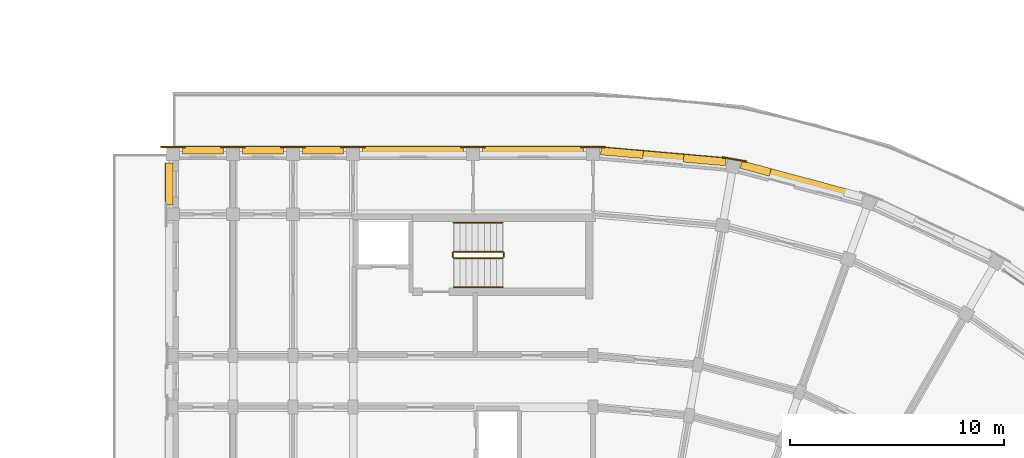
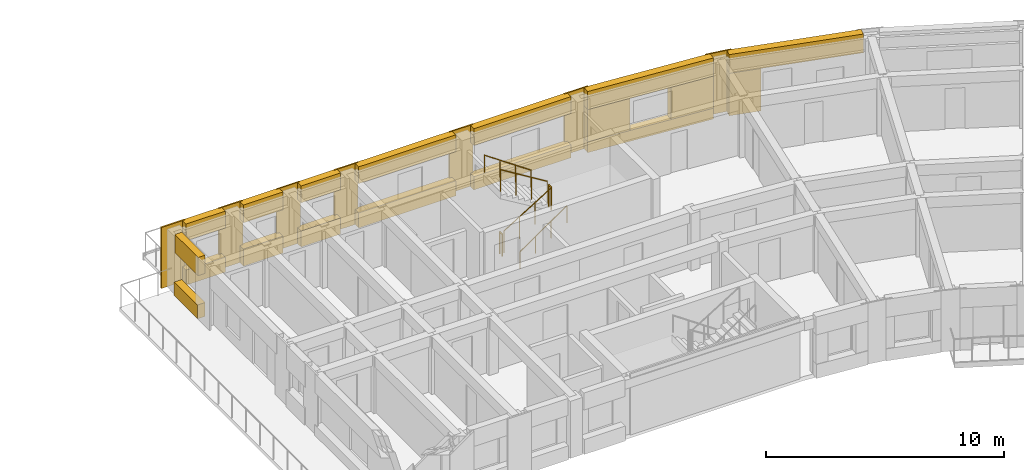
# One storey, part 33 of 36: 25 coverings, 6 railings.
"""IFC4 building model written with IfcOpenShell, lengths in metres."""

import ifcopenshell
import ifcopenshell.guid

model = None  # the IFC model being written
_history = None  # IfcOwnerHistory: only IFC2X3 demands one
_inside = {}  # id of a spatial element -> (the spatial element, [elements in it])
_under = {}  # id of a project, library or spatial element -> (it, [spatial elements below it])
_declared = {}  # id of a project -> (the project, [libraries it declares])
_typed = {}  # id of a type object -> (the type object, [elements of that type])
_made_of = {}  # id of a material, layer set ... -> (it, [elements and type objects made of it])


def new_model(schema):
    """Start an empty IFC model of exactly this schema.

    Asked for "IFC4X3", IfcOpenShell would pick the latest addendum, in which some entities
    have other attributes; the version numbers below select the first issue.
    IFC2X3 requires an IfcOwnerHistory on every rooted entity: one is made here for all.
    """
    global model, _history
    if schema == "IFC4X3":
        model = ifcopenshell.file(schema_version=(4, 3, 0, 0))
    else:
        model = ifcopenshell.file(schema=schema)
    _inside.clear()
    _under.clear()
    _declared.clear()
    _typed.clear()
    _made_of.clear()
    _history = None
    if model.schema == "IFC2X3":
        org = make("IfcOrganization", Name="unknown")
        user = make(
            "IfcPersonAndOrganization",
            ThePerson=make("IfcPerson", FamilyName="unknown"),
            TheOrganization=org,
        )
        app = make(
            "IfcApplication",
            ApplicationDeveloper=org,
            Version="unknown",
            ApplicationFullName="unknown",
            ApplicationIdentifier="unknown",
        )
        _history = make(
            "IfcOwnerHistory",
            OwningUser=user,
            OwningApplication=app,
            ChangeAction="ADDED",
            CreationDate=0,
        )
    return model


def make(cls, **values):
    """One entity of the class cls with the attributes given. An attribute that is None is left unset."""
    return model.create_entity(
        cls, **{name: value for name, value in values.items() if value is not None}
    )


def rooted(cls, **values):
    """An entity with a GlobalId (a new one), such as an element, a storey or a relation."""
    return make(cls, GlobalId=ifcopenshell.guid.new(), OwnerHistory=_history, **values)


def si_unit(unit_type, name, prefix=None):
    """IfcSIUnit, for example si_unit("LENGTHUNIT", "METRE", prefix="MILLI")."""
    return make("IfcSIUnit", UnitType=unit_type, Prefix=prefix, Name=name)


def assignment(units):
    """IfcUnitAssignment: the units of a project."""
    return None if units is None else make("IfcUnitAssignment", Units=units)


def point(xyz):
    """IfcCartesianPoint."""
    return None if xyz is None else make("IfcCartesianPoint", Coordinates=xyz)


def direction(xyz):
    """IfcDirection."""
    return None if xyz is None else make("IfcDirection", DirectionRatios=xyz)


def frame(location, z_axis=None, x_axis=None):
    """IfcAxis2Placement3D, a coordinate frame: its origin and axes. An axis left out is left unset."""
    return make(
        "IfcAxis2Placement3D",
        Location=point(location),
        Axis=direction(z_axis),
        RefDirection=direction(x_axis),
    )


def frame_2d(location, x_axis=None):
    """IfcAxis2Placement2D, a coordinate frame in the plane: its origin and x axis."""
    return make(
        "IfcAxis2Placement2D", Location=point(location), RefDirection=direction(x_axis)
    )


def origin():
    """The frame at (0, 0, 0) with its axes left unset."""
    return frame((0.0, 0.0, 0.0))


def origin_2d():
    """The frame at (0, 0) in the plane with its x axis left unset."""
    return frame_2d((0.0, 0.0))


def place(relative_to, where):
    """IfcLocalPlacement: puts the frame where relative to a parent placement (None: the world)."""
    return make(
        "IfcLocalPlacement", PlacementRelTo=relative_to, RelativePlacement=where
    )


def context(
    kind, dimensions, precision=None, world=None, true_north=None, identifier=None
):
    """IfcGeometricRepresentationContext, for example the 3D "Model" context."""
    return make(
        "IfcGeometricRepresentationContext",
        ContextIdentifier=identifier,
        ContextType=kind,
        CoordinateSpaceDimension=dimensions,
        Precision=precision,
        WorldCoordinateSystem=world,
        TrueNorth=true_north,
    )


def subcontext(parent, identifier, kind, view, scale=None):
    """IfcGeometricRepresentationSubContext, for example "Body" below "Model"."""
    return make(
        "IfcGeometricRepresentationSubContext",
        ContextIdentifier=identifier,
        ContextType=kind,
        ParentContext=parent,
        TargetScale=scale,
        TargetView=view,
    )


def project(units=None, contexts=None):
    """IfcProject with its units and contexts."""
    return rooted(
        "IfcProject",
        Name="project",
        RepresentationContexts=contexts,
        UnitsInContext=assignment(units),
    )


def spatial(cls, under=None, at=None, **own):
    """A site, building, storey or space (cls), placed at a placement, below another one or the project."""
    s = rooted(cls, ObjectPlacement=at, **own)
    if under is not None:
        _under.setdefault(under.id(), (under, []))[1].append(s)
    return s


def polyline(points):
    """IfcPolyline through the points."""
    return make("IfcPolyline", Points=[point(p) for p in points])


def profile(cls, at=None, kind="AREA", **sizes):
    """A parametric profile (cls). Its sizes go by their IFC names, for example OverallWidth=200.0."""
    return make(cls, ProfileType=kind, Position=at, **sizes)


def circle(**sizes):
    """IfcCircleProfileDef."""
    return profile("IfcCircleProfileDef", **sizes)


def outline(outer, holes=None, kind="AREA"):
    """IfcArbitraryClosedProfileDef: a profile drawn as a closed curve; with holes, ...WithVoids."""
    if holes is None:
        return make("IfcArbitraryClosedProfileDef", ProfileType=kind, OuterCurve=outer)
    return make(
        "IfcArbitraryProfileDefWithVoids",
        ProfileType=kind,
        OuterCurve=outer,
        InnerCurves=holes,
    )


def extrude(swept, where, along, depth):
    """IfcExtrudedAreaSolid: the profile swept, set in the frame where, extruded along a direction by depth."""
    return make(
        "IfcExtrudedAreaSolid",
        SweptArea=swept,
        Position=where,
        ExtrudedDirection=direction(along),
        Depth=depth,
    )


def shape(context_of_items, identifier, shape_type, items):
    """IfcShapeRepresentation: the items that make up one representation, for example the "Body"."""
    return make(
        "IfcShapeRepresentation",
        ContextOfItems=context_of_items,
        RepresentationIdentifier=identifier,
        RepresentationType=shape_type,
        Items=items,
    )


def material(Name=None, Category=None):
    """IfcMaterial."""
    return make("IfcMaterial", Name=Name, Category=Category)


def layer(
    of_material, thickness, ventilated=None, Name=None, Category=None, Priority=None
):
    """IfcMaterialLayer: one layer of a wall or slab, of a material (None: an air gap)."""
    return make(
        "IfcMaterialLayer",
        Material=of_material,
        LayerThickness=thickness,
        IsVentilated=ventilated,
        Name=Name,
        Category=Category,
        Priority=Priority,
    )


def layer_set(layers, Name=None):
    """IfcMaterialLayerSet."""
    return make("IfcMaterialLayerSet", MaterialLayers=layers, LayerSetName=Name)


def made_of(thing, what):
    """Note that an element or type object is made of a material, layer set ...; save() writes the relation."""
    if what is not None:
        _made_of.setdefault(what.id(), (what, []))[1].append(thing)
    return thing


def type_object(cls, material=None, **own):
    """A type object (cls), such as IfcWallType, which elements share."""
    return made_of(rooted(cls, **own), material)


def element(
    cls,
    number,
    at=None,
    inside=None,
    cuts=None,
    type_object=None,
    material=None,
    context=None,
    identifier="Body",
    shape_type=None,
    held_by="IfcProductDefinitionShape",
    body=None,
    shapes=None,
    **own,
):
    """One element of the class cls, such as IfcWall. Its Tag is "e" and its number.

    at: its placement. inside: the storey or other place that contains it. cuts: it is an
    opening in that element (IfcRelVoidsElement). A single representation is given by context,
    identifier, shape_type and body (its items); several are given by shapes. held_by: the class
    of the entity that holds the representations. save() writes the other relations.
    """
    e = rooted(cls, Tag="e%d" % number, ObjectPlacement=at, **own)
    if body is not None:
        shapes = [shape(context, identifier, shape_type, body)]
    if shapes is not None:
        e.Representation = make(held_by, Representations=shapes)
    if inside is not None:
        _inside.setdefault(inside.id(), (inside, []))[1].append(e)
    if cuts is not None:
        rooted(
            "IfcRelVoidsElement", RelatingBuildingElement=cuts, RelatedOpeningElement=e
        )
    if type_object is not None:
        _typed.setdefault(type_object.id(), (type_object, []))[1].append(e)
    return made_of(e, material)


def aggregate(whole, parts):
    """IfcRelAggregates: a whole, such as a stair, and the parts it consists of."""
    return rooted("IfcRelAggregates", RelatingObject=whole, RelatedObjects=parts)


def save(model, path):
    """Write the relations noted so far, then the file.

    IfcRelAggregates (storeys below a building ...), IfcRelContainedInSpatialStructure (elements
    in a storey), IfcRelDefinesByType, IfcRelAssociatesMaterial and IfcRelDeclares: one each for
    every whole, place, type object, material and project.
    """
    for whole, parts in _under.values():
        aggregate(whole, parts)
    for where, things in _inside.values():
        rooted(
            "IfcRelContainedInSpatialStructure",
            RelatedElements=things,
            RelatingStructure=where,
        )
    for kind, things in _typed.values():
        rooted("IfcRelDefinesByType", RelatedObjects=things, RelatingType=kind)
    for what, things in _made_of.values():
        rooted("IfcRelAssociatesMaterial", RelatedObjects=things, RelatingMaterial=what)
    for by, libraries in _declared.values():
        rooted("IfcRelDeclares", RelatingContext=by, RelatedDefinitions=libraries)
    model.write(path)


model = new_model("IFC4")

# Units and contexts
model_context = context("Model", 3, precision=1e-05, world=origin(), true_north=direction((0.0, 1.0)))
body_context = subcontext(model_context, "Body", "Model", "MODEL_VIEW")
ifc_project = project(units=[si_unit("LENGTHUNIT", "METRE"), si_unit("AREAUNIT", "SQUARE_METRE"), si_unit("VOLUMEUNIT", "CUBIC_METRE"), si_unit("PLANEANGLEUNIT", "RADIAN"), si_unit("MASSUNIT", "GRAM", prefix="KILO")], contexts=[model_context])

# Site, building, storey
site_placement = place(None, origin())
site = spatial("IfcSite", under=ifc_project, at=site_placement, CompositionType="ELEMENT")
building_placement = place(site_placement, origin())
building = spatial("IfcBuilding", under=site, at=building_placement, Name="Kiranvali Square Residences", CompositionType="ELEMENT")
storey_placement = place(building_placement, frame((0.0, 0.0, 37.050048828125)))
storey = spatial("IfcBuildingStorey", under=building, at=storey_placement, Name="L11", CompositionType="ELEMENT", Elevation=37.050048828125)

# Coverings
ifc_material_1 = material(Name="Honed Porbandar limestone ashlar facade cladding", Category="masonry")
ifc_layer_1 = layer(ifc_material_1, 0.3798828125)
ifc_layer_set_1 = layer_set([ifc_layer_1], Name="Honed Porbandar limestone ashlar facade cladding")
covering_type_1 = type_object("IfcCoveringType", Name="COV-CLAD-JAMB", PredefinedType="CLADDING", material=ifc_layer_set_1)
covering_1_placement = place(storey_placement, frame((0.0, 0.0, 0.56201171875)))
element("IfcCovering", 1, at=covering_1_placement, inside=storey, type_object=covering_type_1, Name="L11 deep limestone window jamb reveal B-L11-CRV-00.L", PredefinedType="CLADDING", context=body_context, shape_type="SweptSolid", body=[
    extrude(outline(polyline([(120.148681640625, 125.369873046875), (122.1181640625, 125.19775390625), (122.149658203125, 125.555908203125), (120.179931640625, 125.72802734375), (120.148681640625, 125.369873046875)])), origin(), (0.0, 0.0, 1.0), 1.64990234375),
])
covering_2_placement = place(storey_placement, frame((0.0, 0.0, 0.56201171875)))
element("IfcCovering", 2, at=covering_2_placement, inside=storey, type_object=covering_type_1, Name="L11 deep limestone window jamb reveal B-L11-CRV-00.R", PredefinedType="CLADDING", context=body_context, shape_type="SweptSolid", body=[
    extrude(outline(polyline([(124.010986328125, 125.031982421875), (125.98046875, 124.85986328125), (126.011962890625, 125.218017578125), (124.042236328125, 125.39013671875), (124.010986328125, 125.031982421875)])), origin(), (0.0, 0.0, 1.0), 1.64990234375),
])
covering_3_placement = place(storey_placement, origin())
element("IfcCovering", 3, at=covering_3_placement, inside=storey, type_object=covering_type_1, Name="L11 deep limestone window jamb reveal B-L11-CRV-01.L", PredefinedType="CLADDING", context=body_context, shape_type="SweptSolid", body=[
    extrude(outline(polyline([(126.66748046875, 124.73876953125), (128.0185546875, 124.376708984375), (128.111572265625, 124.723876953125), (126.760498046875, 125.0859375), (126.66748046875, 124.73876953125)])), origin(), (0.0, 0.0, 1.0), 2.179931640625),
])
ifc_layer_2 = layer(ifc_material_1, 0.06494140625)
ifc_layer_set_2 = layer_set([ifc_layer_2], Name="Honed Porbandar limestone ashlar facade cladding")
covering_type_2 = type_object("IfcCoveringType", Name="COV-CLAD-PIER", PredefinedType="CLADDING", material=ifc_layer_set_2)
covering_4_placement = place(storey_placement, frame((0.0, 0.0, 0.0048828125)))
element("IfcCovering", 4, at=covering_4_placement, inside=storey, type_object=covering_type_2, Name="L11 Classical limestone corner pilaster CLAD-PR-B-L11-A00", PredefinedType="CLADDING", context=body_context, shape_type="SweptSolid", body=[
    extrude(outline(polyline([(120.3798828125, 125.76806640625), (119.219970703125, 125.76806640625), (119.219970703125, 125.700439453125), (120.3798828125, 125.700439453125), (120.3798828125, 125.76806640625)])), origin(), (0.0, 0.0, 1.0), 3.14013671875),
])
covering_5_placement = place(storey_placement, frame((0.0, 0.0, 0.0048828125)))
element("IfcCovering", 5, at=covering_5_placement, inside=storey, type_object=covering_type_2, Name="L11 Classical limestone corner pilaster CLAD-PR-B-L11-A01", PredefinedType="CLADDING", context=body_context, shape_type="SweptSolid", body=[
    extrude(outline(polyline([(126.96435546875, 125.090576171875), (125.82177734375, 125.2919921875), (125.81005859375, 125.225341796875), (126.95263671875, 125.02392578125), (126.96435546875, 125.090576171875)])), origin(), (0.0, 0.0, 1.0), 3.14013671875),
])
ifc_layer_3 = layer(ifc_material_1, 0.054931640625)
ifc_layer_set_3 = layer_set([ifc_layer_3], Name="Honed Porbandar limestone ashlar facade cladding")
covering_type_3 = type_object("IfcCoveringType", Name="COV-CLAD-PIER-UP", PredefinedType="CLADDING", material=ifc_layer_set_3)
covering_6_placement = place(storey_placement, frame((0.0, 0.0, 0.0048828125)))
element("IfcCovering", 6, at=covering_6_placement, inside=storey, type_object=covering_type_3, Name="L11 Classical limestone pilaster casing CLAD-PR-B-L11-U56", PredefinedType="CLADDING", context=body_context, shape_type="SweptSolid", body=[
    extrude(outline(polyline([(114.780029296875, 125.76806640625), (113.6201171875, 125.76806640625), (113.6201171875, 125.700439453125), (114.780029296875, 125.700439453125), (114.780029296875, 125.76806640625)])), origin(), (0.0, 0.0, 1.0), 3.14013671875),
])
covering_7_placement = place(storey_placement, frame((0.0, 0.0, 0.0048828125)))
element("IfcCovering", 7, at=covering_7_placement, inside=storey, type_object=covering_type_3, Name="L11 Classical limestone pilaster casing CLAD-PR-B-L11-U112", PredefinedType="CLADDING", context=body_context, shape_type="SweptSolid", body=[
    extrude(outline(polyline([(109.179931640625, 125.76806640625), (108.02001953125, 125.76806640625), (108.02001953125, 125.700439453125), (109.179931640625, 125.700439453125), (109.179931640625, 125.76806640625)])), origin(), (0.0, 0.0, 1.0), 3.14013671875),
])
covering_8_placement = place(storey_placement, frame((0.0, 0.0, 0.0048828125)))
element("IfcCovering", 8, at=covering_8_placement, inside=storey, type_object=covering_type_3, Name="L11 Classical limestone pilaster casing CLAD-PR-B-L11-U140", PredefinedType="CLADDING", context=body_context, shape_type="SweptSolid", body=[
    extrude(outline(polyline([(106.3798828125, 125.76806640625), (105.219970703125, 125.76806640625), (105.219970703125, 125.700439453125), (106.3798828125, 125.700439453125), (106.3798828125, 125.76806640625)])), origin(), (0.0, 0.0, 1.0), 3.14013671875),
])
covering_9_placement = place(storey_placement, frame((0.0, 0.0, 0.0048828125)))
element("IfcCovering", 9, at=covering_9_placement, inside=storey, type_object=covering_type_3, Name="L11 Classical limestone pilaster casing CLAD-PR-B-L11-U167", PredefinedType="CLADDING", context=body_context, shape_type="SweptSolid", body=[
    extrude(outline(polyline([(103.580078125, 125.76806640625), (102.419921875, 125.76806640625), (102.419921875, 125.700439453125), (103.580078125, 125.700439453125), (103.580078125, 125.76806640625)])), origin(), (0.0, 0.0, 1.0), 3.14013671875),
])
covering_10_placement = place(storey_placement, frame((0.0, 0.0, 0.0048828125)))
element("IfcCovering", 10, at=covering_10_placement, inside=storey, type_object=covering_type_3, Name="L11 Classical limestone pilaster casing CLAD-PR-B-L11-U195", PredefinedType="CLADDING", context=body_context, shape_type="SweptSolid", body=[
    extrude(outline(polyline([(100.780029296875, 125.76806640625), (99.6201171875, 125.76806640625), (99.6201171875, 125.700439453125), (100.780029296875, 125.700439453125), (100.780029296875, 125.76806640625)])), origin(), (0.0, 0.0, 1.0), 3.14013671875),
])
ifc_layer_4 = layer(ifc_material_1, 0.360107421875)
ifc_layer_set_4 = layer_set([ifc_layer_4], Name="Honed Porbandar limestone ashlar facade cladding")
covering_type_4 = type_object("IfcCoveringType", Name="COV-CLAD-WALL", PredefinedType="CLADDING", material=ifc_layer_set_4)
covering_11_placement = place(storey_placement, frame((0.0, 0.0, 2.2119140625)))
element("IfcCovering", 11, at=covering_11_placement, inside=storey, type_object=covering_type_4, Name="L11 light limestone spandrel lintel B-L11-CRV-00", PredefinedType="CLADDING", context=body_context, shape_type="SweptSolid", body=[
    extrude(outline(polyline([(120.148681640625, 125.369873046875), (125.98046875, 124.85986328125), (126.011962890625, 125.218017578125), (120.179931640625, 125.72802734375), (120.148681640625, 125.369873046875)])), origin(), (0.0, 0.0, 1.0), 0.93310546875),
])
covering_12_placement = place(storey_placement, frame((0.0, 0.0, 2.179931640625)))
element("IfcCovering", 12, at=covering_12_placement, inside=storey, type_object=covering_type_4, Name="L11 light limestone spandrel lintel B-L11-CRV-01", PredefinedType="CLADDING", context=body_context, shape_type="SweptSolid", body=[
    extrude(outline(polyline([(126.66748046875, 124.73876953125), (132.322021484375, 123.223388671875), (132.4150390625, 123.57080078125), (126.760498046875, 125.0859375), (126.66748046875, 124.73876953125)])), origin(), (0.0, 0.0, 1.0), 0.965087890625),
])
covering_13_placement = place(storey_placement, frame((0.0, 0.0, 2.280029296875)))
element("IfcCovering", 13, at=covering_13_placement, inside=storey, type_object=covering_type_4, Name="L11 light limestone spandrel lintel B-L11-A1O-0", PredefinedType="CLADDING", context=body_context, shape_type="SweptSolid", body=[
    extrude(outline(polyline([(119.360107421875, 125.75), (114.639892578125, 125.75), (114.639892578125, 125.400390625), (119.360107421875, 125.400390625), (119.360107421875, 125.75)])), origin(), (0.0, 0.0, 1.0), 0.864990234375),
])
covering_14_placement = place(storey_placement, frame((0.0, 0.0, 2.280029296875)))
element("IfcCovering", 14, at=covering_14_placement, inside=storey, type_object=covering_type_4, Name="L11 light limestone spandrel lintel B-L11-A1O-1", PredefinedType="CLADDING", context=body_context, shape_type="SweptSolid", body=[
    extrude(outline(polyline([(113.760009765625, 125.75), (109.0400390625, 125.75), (109.0400390625, 125.400390625), (113.760009765625, 125.400390625), (113.760009765625, 125.75)])), origin(), (0.0, 0.0, 1.0), 0.864990234375),
])
covering_15_placement = place(storey_placement, frame((0.0, 0.0, 2.280029296875)))
element("IfcCovering", 15, at=covering_15_placement, inside=storey, type_object=covering_type_4, Name="L11 light limestone spandrel lintel B-L11-A1O-2", PredefinedType="CLADDING", context=body_context, shape_type="SweptSolid", body=[
    extrude(outline(polyline([(108.159912109375, 125.75), (106.239990234375, 125.75), (106.239990234375, 125.400390625), (108.159912109375, 125.400390625), (108.159912109375, 125.75)])), origin(), (0.0, 0.0, 1.0), 0.864990234375),
])
covering_16_placement = place(storey_placement, frame((0.0, 0.0, 2.22998046875)))
element("IfcCovering", 16, at=covering_16_placement, inside=storey, type_object=covering_type_4, Name="L11 light limestone spandrel lintel B-L11-A1O-3", PredefinedType="CLADDING", context=body_context, shape_type="SweptSolid", body=[
    extrude(outline(polyline([(105.360107421875, 125.75), (103.43994140625, 125.75), (103.43994140625, 125.400390625), (105.360107421875, 125.400390625), (105.360107421875, 125.75)])), origin(), (0.0, 0.0, 1.0), 0.9150390625),
])
covering_17_placement = place(storey_placement, frame((0.0, 0.0, 2.280029296875)))
element("IfcCovering", 17, at=covering_17_placement, inside=storey, type_object=covering_type_4, Name="L11 light limestone spandrel lintel B-L11-A1O-4", PredefinedType="CLADDING", context=body_context, shape_type="SweptSolid", body=[
    extrude(outline(polyline([(102.56005859375, 125.75), (100.639892578125, 125.75), (100.639892578125, 125.400390625), (102.56005859375, 125.400390625), (102.56005859375, 125.75)])), origin(), (0.0, 0.0, 1.0), 0.864990234375),
])
covering_18_placement = place(storey_placement, frame((0.0, 0.0, 2.2119140625)))
element("IfcCovering", 18, at=covering_18_placement, inside=storey, type_object=covering_type_4, Name="L11 light limestone spandrel lintel B-L11-A1END-3", PredefinedType="CLADDING", context=body_context, shape_type="SweptSolid", body=[
    extrude(outline(polyline([(100.199462890625, 123.02001953125), (100.199462890625, 124.97998046875), (99.860107421875, 124.97998046875), (99.860107421875, 123.02001953125), (100.199462890625, 123.02001953125)])), origin(), (0.0, 0.0, 1.0), 0.93310546875),
])
ifc_layer_5 = layer(ifc_material_1, 0.320068359375)
ifc_layer_set_5 = layer_set([ifc_layer_5], Name="Honed Porbandar limestone ashlar facade cladding")
covering_type_5 = type_object("IfcCoveringType", Name="COV-CLAD-WALL-UP", PredefinedType="CLADDING", material=ifc_layer_set_5)
covering_19_placement = place(storey_placement, frame((0.0, 0.0, 0.0048828125)))
element("IfcCovering", 19, at=covering_19_placement, inside=storey, type_object=covering_type_5, Name="L11 limestone window sill apron B-L11-CRV-00", PredefinedType="CLADDING", context=body_context, shape_type="SweptSolid", body=[
    extrude(outline(polyline([(120.148681640625, 125.369873046875), (125.98046875, 124.85986328125), (126.014404296875, 125.247802734375), (120.1826171875, 125.758056640625), (120.148681640625, 125.369873046875)])), origin(), (0.0, 0.0, 1.0), 0.55712890625),
])
covering_20_placement = place(storey_placement, frame((0.0, 0.0, 0.0048828125)))
element("IfcCovering", 20, at=covering_20_placement, inside=storey, type_object=covering_type_5, Name="L11 limestone window sill apron B-L11-A1O-0", PredefinedType="CLADDING", context=body_context, shape_type="SweptSolid", body=[
    extrude(outline(polyline([(119.360107421875, 125.780029296875), (114.639892578125, 125.780029296875), (114.639892578125, 125.400390625), (119.360107421875, 125.400390625), (119.360107421875, 125.780029296875)])), origin(), (0.0, 0.0, 1.0), 0.675048828125),
])
covering_21_placement = place(storey_placement, frame((0.0, 0.0, 0.0048828125)))
element("IfcCovering", 21, at=covering_21_placement, inside=storey, type_object=covering_type_5, Name="L11 limestone window sill apron B-L11-A1O-1", PredefinedType="CLADDING", context=body_context, shape_type="SweptSolid", body=[
    extrude(outline(polyline([(113.760009765625, 125.780029296875), (109.0400390625, 125.780029296875), (109.0400390625, 125.400390625), (113.760009765625, 125.400390625), (113.760009765625, 125.780029296875)])), origin(), (0.0, 0.0, 1.0), 0.775146484375),
])
covering_22_placement = place(storey_placement, frame((0.0, 0.0, 0.0048828125)))
element("IfcCovering", 22, at=covering_22_placement, inside=storey, type_object=covering_type_5, Name="L11 limestone window sill apron B-L11-A1O-2", PredefinedType="CLADDING", context=body_context, shape_type="SweptSolid", body=[
    extrude(outline(polyline([(108.159912109375, 125.780029296875), (106.239990234375, 125.780029296875), (106.239990234375, 125.400390625), (108.159912109375, 125.400390625), (108.159912109375, 125.780029296875)])), origin(), (0.0, 0.0, 1.0), 0.824951171875),
])
covering_23_placement = place(storey_placement, frame((0.0, 0.0, 0.0048828125)))
element("IfcCovering", 23, at=covering_23_placement, inside=storey, type_object=covering_type_5, Name="L11 limestone window sill apron B-L11-A1O-3", PredefinedType="CLADDING", context=body_context, shape_type="SweptSolid", body=[
    extrude(outline(polyline([(105.360107421875, 125.780029296875), (103.43994140625, 125.780029296875), (103.43994140625, 125.400390625), (105.360107421875, 125.400390625), (105.360107421875, 125.780029296875)])), origin(), (0.0, 0.0, 1.0), 0.875),
])
covering_24_placement = place(storey_placement, frame((0.0, 0.0, 0.0048828125)))
element("IfcCovering", 24, at=covering_24_placement, inside=storey, type_object=covering_type_5, Name="L11 limestone window sill apron B-L11-A1O-4", PredefinedType="CLADDING", context=body_context, shape_type="SweptSolid", body=[
    extrude(outline(polyline([(102.56005859375, 125.780029296875), (100.639892578125, 125.780029296875), (100.639892578125, 125.400390625), (102.56005859375, 125.400390625), (102.56005859375, 125.780029296875)])), origin(), (0.0, 0.0, 1.0), 0.775146484375),
])
covering_25_placement = place(storey_placement, frame((0.0, 0.0, 0.0048828125)))
element("IfcCovering", 25, at=covering_25_placement, inside=storey, type_object=covering_type_5, Name="L11 limestone window sill apron B-L11-A1END-3", PredefinedType="CLADDING", context=body_context, shape_type="SweptSolid", body=[
    extrude(outline(polyline([(100.199462890625, 123.02001953125), (100.199462890625, 124.97998046875), (99.830078125, 124.97998046875), (99.830078125, 123.02001953125), (100.199462890625, 123.02001953125)])), origin(), (0.0, 0.0, 1.0), 0.70703125),
])

# Railings
ifc_material_2 = material(Name="Brushed stainless steel tubular handrail", Category="steel")
railing_type_1 = type_object("IfcRailingType", Name="RL-HANDRAIL-900", PredefinedType="HANDRAIL", material=ifc_material_2)
railing_1_placement = place(storey_placement, frame((113.300048828125, 119.199951171875, 0.175048828125)))
element("IfcRailing", 26, at=railing_1_placement, inside=storey, type_object=railing_type_1, Name="L11 ST-B1 stair handrail 1", PredefinedType="HANDRAIL", context=body_context, shape_type="SweptSolid", body=[
    extrude(circle(Radius=0.02392578125, at=origin_2d()), frame((0.0, 0.0, 0.8759765625), z_axis=(0.82278801735, 0.0, 0.568348377763), x_axis=(0.0, 1.0, 0.0)), (0.0, 0.0, 1.0), 2.77099609375),
    extrude(circle(Radius=0.02099609375, at=origin_2d()), origin(), (0.0, 0.0, 1.0), 0.851806640625),
    extrude(circle(Radius=0.02099609375, at=origin_2d()), frame((0.760009765625, 0.0, 0.52490234375)), (0.0, 0.0, 1.0), 0.851806640625),
    extrude(circle(Radius=0.02099609375, at=origin_2d()), frame((1.52001953125, 0.0, 1.050048828125)), (0.0, 0.0, 1.0), 0.851806640625),
    extrude(circle(Radius=0.02099609375, at=origin_2d()), frame((2.280029296875, 0.0, 1.574951171875)), (0.0, 0.0, 1.0), 0.851806640625),
])
railing_2_placement = place(storey_placement, frame((115.580078125, 122.199951171875, 1.75)))
element("IfcRailing", 27, at=railing_2_placement, inside=storey, type_object=railing_type_1, Name="L11 ST-B1 stair handrail 2", PredefinedType="HANDRAIL", context=body_context, shape_type="SweptSolid", body=[
    extrude(circle(Radius=0.02392578125, at=origin_2d()), frame((0.0, 0.0, 0.8759765625), z_axis=(-0.82278801735, 0.0, 0.568348377763), x_axis=(0.0, -1.0, 0.0)), (0.0, 0.0, 1.0), 2.77099609375),
    extrude(circle(Radius=0.02099609375, at=origin_2d()), origin(), (0.0, 0.0, 1.0), 0.851806640625),
    extrude(circle(Radius=0.02099609375, at=origin_2d()), frame((-0.760009765625, 0.0, 0.52490234375)), (0.0, 0.0, 1.0), 0.851806640625),
    extrude(circle(Radius=0.02099609375, at=origin_2d()), frame((-1.52001953125, 0.0, 1.050048828125)), (0.0, 0.0, 1.0), 0.851806640625),
    extrude(circle(Radius=0.02099609375, at=origin_2d()), frame((-2.280029296875, 0.0, 1.574951171875)), (0.0, 0.0, 1.0), 0.851806640625),
])
ifc_material_3 = material(Name="Powder-coated architectural bronze balustrade", Category="steel")
railing_type_2 = type_object("IfcRailingType", Name="RL-ST-GUARD-1200", PredefinedType="GUARDRAIL", material=ifc_material_3)
railing_3_placement = place(storey_placement, frame((113.300048828125, 120.550048828125, 0.175048828125)))
element("IfcRailing", 28, at=railing_3_placement, inside=storey, type_object=railing_type_2, Name="L11 ST-B1 stair guard 1", PredefinedType="GUARDRAIL", context=body_context, shape_type="SweptSolid", body=[
    extrude(circle(Radius=0.02392578125, at=origin_2d()), frame((0.0, 0.0, 1.1259765625), z_axis=(0.852190499154, 0.0, 0.523231643875), x_axis=(0.0, 1.0, 0.0)), (0.0, 0.0, 1.0), 2.675537109375),
    extrude(circle(Radius=0.02099609375, at=origin_2d()), origin(), (0.0, 0.0, 1.0), 1.101806640625),
    extrude(circle(Radius=0.02099609375, at=origin_2d()), frame((0.760009765625, 0.0, 0.466552734375)), (0.0, 0.0, 1.0), 1.101806640625),
    extrude(circle(Radius=0.02099609375, at=origin_2d()), frame((1.52001953125, 0.0, 0.933349609375)), (0.0, 0.0, 1.0), 1.101806640625),
    extrude(circle(Radius=0.02099609375, at=origin_2d()), frame((2.280029296875, 0.0, 1.39990234375)), (0.0, 0.0, 1.0), 1.101806640625),
])
railing_4_placement = place(storey_placement, frame((115.6298828125, 120.60009765625, 1.574951171875)))
element("IfcRailing", 29, at=railing_4_placement, inside=storey, type_object=railing_type_2, Name="L11 ST-B1 stair guard 2", PredefinedType="GUARDRAIL", context=body_context, shape_type="SweptSolid", body=[
    extrude(circle(Radius=0.02392578125, at=origin_2d()), frame((0.0, 0.0, 1.1259765625), z_axis=(0.0, 1.0, 0.0), x_axis=(-1.0, 0.0, 0.0)), (0.0, 0.0, 1.0), 0.199951171875),
    extrude(circle(Radius=0.02099609375, at=origin_2d()), origin(), (0.0, 0.0, 1.0), 1.101806640625),
    extrude(circle(Radius=0.02099609375, at=origin_2d()), frame((0.0, 0.199951171875, 0.0)), (0.0, 0.0, 1.0), 1.101806640625),
])
railing_5_placement = place(storey_placement, frame((115.580078125, 120.85009765625, 1.75)))
element("IfcRailing", 30, at=railing_5_placement, inside=storey, type_object=railing_type_2, Name="L11 ST-B1 stair guard 3", PredefinedType="GUARDRAIL", context=body_context, shape_type="SweptSolid", body=[
    extrude(circle(Radius=0.02392578125, at=origin_2d()), frame((0.0, 0.0, 1.1259765625), z_axis=(-0.852190499154, 0.0, 0.523231643875), x_axis=(0.0, -1.0, 0.0)), (0.0, 0.0, 1.0), 2.675537109375),
    extrude(circle(Radius=0.02099609375, at=origin_2d()), origin(), (0.0, 0.0, 1.0), 1.101806640625),
    extrude(circle(Radius=0.02099609375, at=origin_2d()), frame((-0.760009765625, 0.0, 0.466552734375)), (0.0, 0.0, 1.0), 1.101806640625),
    extrude(circle(Radius=0.02099609375, at=origin_2d()), frame((-1.52001953125, 0.0, 0.933349609375)), (0.0, 0.0, 1.0), 1.101806640625),
    extrude(circle(Radius=0.02099609375, at=origin_2d()), frame((-2.280029296875, 0.0, 1.39990234375)), (0.0, 0.0, 1.0), 1.101806640625),
])
railing_6_placement = place(storey_placement, frame((113.25, 120.60009765625, 0.0)))
element("IfcRailing", 31, at=railing_6_placement, inside=storey, type_object=railing_type_2, Name="L11 ST-B1 stair guard 4", PredefinedType="GUARDRAIL", context=body_context, shape_type="SweptSolid", body=[
    extrude(circle(Radius=0.02392578125, at=origin_2d()), frame((0.0, 0.0, 1.1259765625), z_axis=(0.0, 1.0, 0.0), x_axis=(-1.0, 0.0, 0.0)), (0.0, 0.0, 1.0), 0.199951171875),
    extrude(circle(Radius=0.02099609375, at=origin_2d()), origin(), (0.0, 0.0, 1.0), 1.101806640625),
    extrude(circle(Radius=0.02099609375, at=origin_2d()), frame((0.0, 0.199951171875, 0.0)), (0.0, 0.0, 1.0), 1.101806640625),
])

save(model, "model.ifc")
